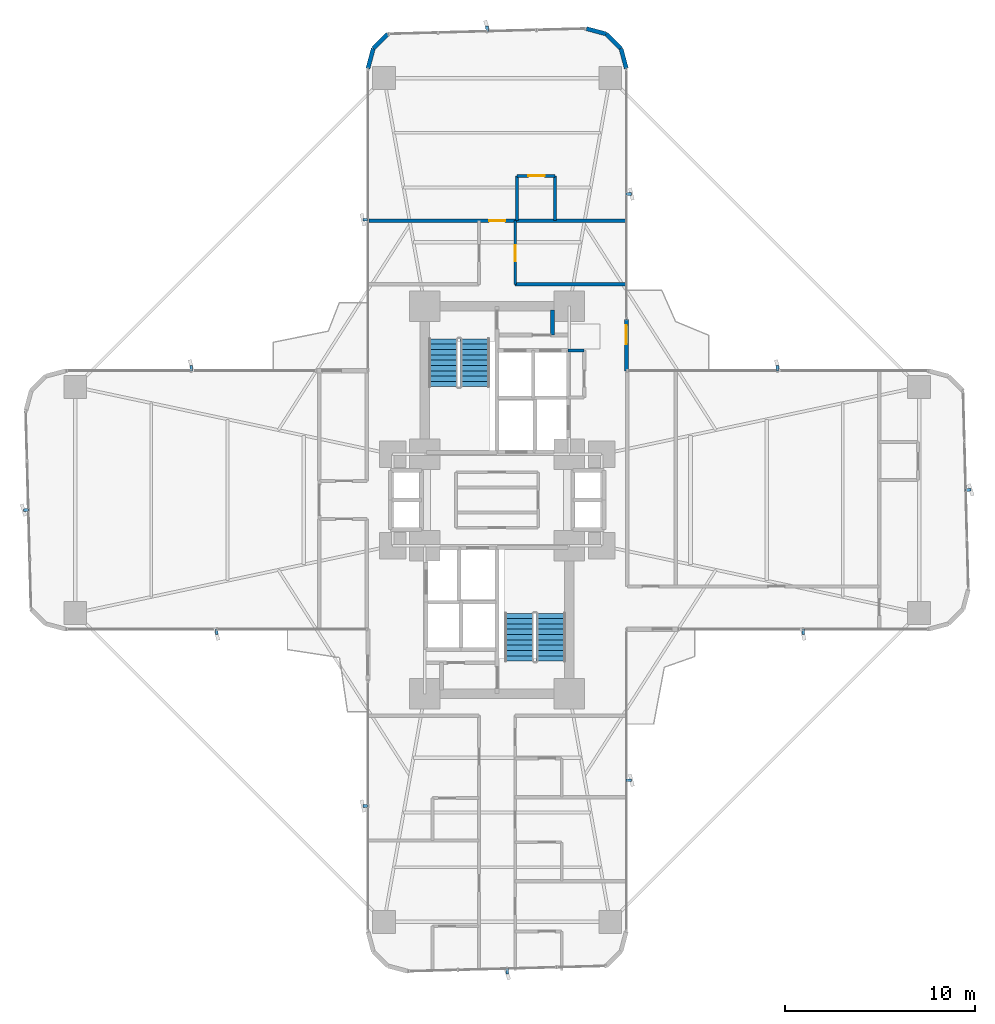
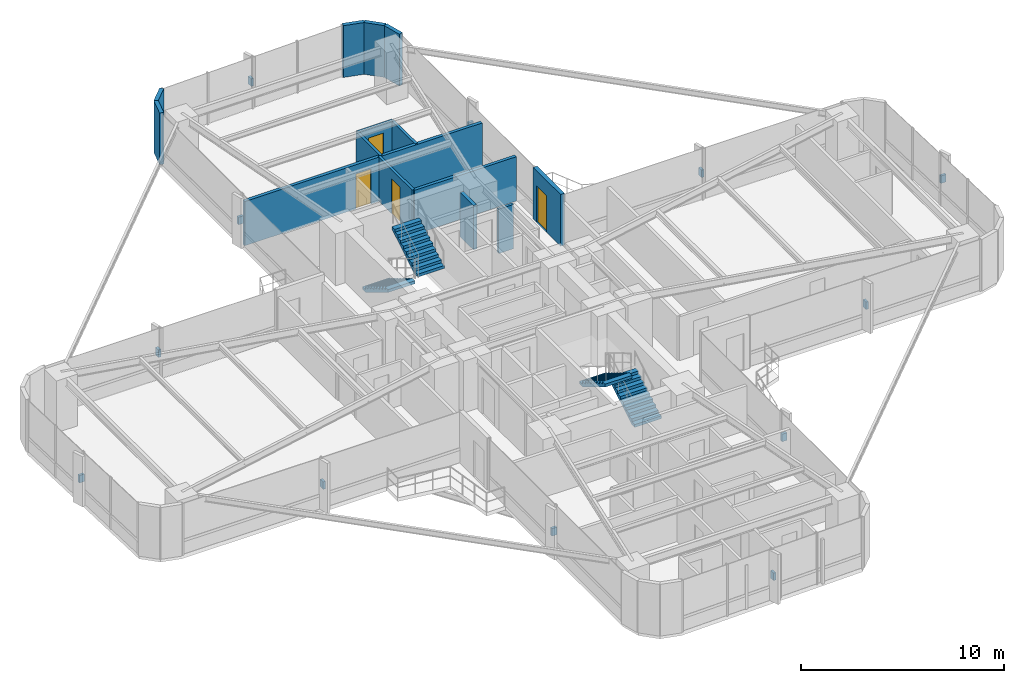
# One storey, part 24 of 25: 14 walls, 12 discrete accessories, 4 doors, 4 stair flights, 4 openings, 2 elements without a shape of their own.
"""IFC4 building model written with IfcOpenShell, lengths in metres."""

from ifc_helpers import new_model, si_unit, direction, frame, frame_2d, origin, origin_2d, place, context, subcontext, project, spatial, polyline, rectangle, outline, extrude, source, transform, mapped, material, layer, layer_set, type_object, element, fill, aggregate, save


model = new_model("IFC4")

# Units and contexts
model_context = context("Model", 3, precision=1e-05, world=origin(), true_north=direction((0.0, 1.0)))
body_context = subcontext(model_context, "Body", "Model", "MODEL_VIEW")
ifc_project = project(units=[si_unit("LENGTHUNIT", "METRE"), si_unit("AREAUNIT", "SQUARE_METRE"), si_unit("VOLUMEUNIT", "CUBIC_METRE"), si_unit("PLANEANGLEUNIT", "RADIAN"), si_unit("MASSUNIT", "GRAM", prefix="KILO")], contexts=[model_context])

# Site, building, storey
site_placement = place(None, origin())
site = spatial("IfcSite", under=ifc_project, at=site_placement, CompositionType="ELEMENT")
building_placement = place(site_placement, origin())
building = spatial("IfcBuilding", under=site, at=building_placement, Name="Sahyath Konkavel Grand Hotel", CompositionType="ELEMENT")
storey_placement = place(building_placement, frame((0.0, 0.0, 39.85009765625)))
storey = spatial("IfcBuildingStorey", under=building, at=storey_placement, Name="L10", CompositionType="ELEMENT", Elevation=39.85009765625)

# Wall, opening, door
ifc_material_1 = material(Name="Warm Buff Sandstone Insulated Concrete C40/50", Category="masonry")
ifc_layer_1 = layer(ifc_material_1, 0.219970703125)
ifc_layer_set_1 = layer_set([ifc_layer_1], Name="Warm Buff Sandstone Insulated Concrete C40/50")
wall_type_1 = type_object("IfcWallType", Name="WLL-BALC-THRESH", PredefinedType="STANDARD", material=ifc_layer_set_1)
wall_1_placement = place(storey_placement, frame((6.800048828125, 6.800048828125, 0.0), z_axis=(0.0, 0.0, 1.0), x_axis=(0.0, 1.0, 0.0)))
wall_1 = element("IfcWall", 1, at=wall_1_placement, inside=storey, type_object=wall_type_1, Name="L10 Winter-Garden Threshold Wall 8", PredefinedType="STANDARD", context=body_context, shape_type="SweptSolid", body=[
    extrude(rectangle(XDim=2.699951171875, YDim=0.219970703125, at=frame_2d((1.35009765625, 0.0))), origin(), (0.0, 0.0, 1.0), 3.10986328125),
])
opening_1_placement = place(wall_1_placement, frame((1.39990234375, 0.0, 0.0)))
opening_1 = element("IfcOpeningElement", 2, at=opening_1_placement, cuts=wall_1, Name="Opening D-TR1", PredefinedType="OPENING", context=body_context, shape_type="SweptSolid", body=[
    extrude(rectangle(XDim=1.0, YDim=2.199951171875, at=frame_2d((0.5, 1.10009765625))), frame((0.0, 0.1201171875, 0.0), z_axis=(0.0, -1.0, 0.0), x_axis=(1.0, 0.0, 0.0)), (0.0, 0.0, 1.0), 0.239990234375),
])
ifc_material_2 = material(Name="Anodised Bronze Aluminium & Low-E Glazing", Category="aluminium")
door_type_1 = type_object("IfcDoorType", Name="DR-TERRACE-1000", OperationType="NOTDEFINED", PredefinedType="DOOR", material=ifc_material_2)
shared_shape_1 = source(origin(), body_context, "Body", "SweptSolid", [
    extrude(rectangle(XDim=1.0, YDim=0.050048828125, at=origin_2d()), origin(), (0.0, 0.0, 1.0), 2.199951171875),
])
door_1_placement = place(opening_1_placement, frame((0.5, 0.0, 0.0)))
door_1 = element("IfcDoor", 3, at=door_1_placement, inside=storey, type_object=door_type_1, Name="L10 Winter-Garden Terrace Door 8", OperationType="SINGLE_SWING_LEFT", OverallHeight=2.199951171875, OverallWidth=1.0, PredefinedType="DOOR", context=body_context, shape_type="MappedRepresentation", body=[
    mapped(shared_shape_1, transform((0.0, 0.0, 0.0), scale=1.0)),
])
fill(opening_1, door_1)

# Walls
for number, where, z_axis, x_axis, name in (
    (4, (6.800048828125, 22.699951171875, 0.0), (0.0, 0.0, 1.0), (-0.25872485917, 0.965951058412, 0.0), "L10 Rounded Corner Sandstone Pier 9"),
    (5, (6.518798828125, 23.75, 0.0), (0.0, 0.0, 1.0), (-0.707106781187, 0.707106781187, 0.0), "L10 Rounded Corner Sandstone Pier 10"),
    (6, (5.75, 24.518798828125, 0.0), (0.0, 0.0, 1.0), (-0.965951058412, 0.25872485917, 0.0), "L10 Rounded Corner Sandstone Pier 11"),
    (7, (-5.75, 24.518798828125, 0.0), (0.0, 0.0, 1.0), (-0.707106781187, -0.707106781187, 0.0), "L10 Rounded Corner Sandstone Pier 13"),
    (8, (-6.518798828125, 23.75, 0.0), (0.0, 0.0, 1.0), (-0.25872485917, -0.965951058412, 0.0), "L10 Rounded Corner Sandstone Pier 14"),
):
    element("IfcWall", number, at=place(storey_placement, frame(where, z_axis=z_axis, x_axis=x_axis)), inside=storey, type_object=wall_type_1, Name=name, PredefinedType="STANDARD", context=body_context, shape_type="SweptSolid", body=[
        extrude(rectangle(XDim=1.087158203125, YDim=0.219970703125, at=frame_2d((0.54345703125, 0.0))), origin(), (0.0, 0.0, 1.0), 3.10986328125),
    ])
ifc_material_3 = material(Name="Concrete C40/50", Category="concrete")
ifc_layer_2 = layer(ifc_material_3, 0.199951171875)
ifc_layer_set_2 = layer_set([ifc_layer_2], Name="Concrete C40/50")
wall_type_2 = type_object("IfcWallType", Name="WLL-CORE-200", PredefinedType="SOLIDWALL", material=ifc_layer_set_2)
wall_2_placement = place(storey_placement, frame((2.919921875, 8.679931640625, 0.0), z_axis=(0.0, 0.0, 1.0), x_axis=(0.0, 1.0, 0.0)))
element("IfcWall", 9, at=wall_2_placement, inside=storey, type_object=wall_type_2, Name="L10 Partition NFF-E2", PredefinedType="SOLIDWALL", context=body_context, shape_type="SweptSolid", body=[
    extrude(rectangle(XDim=1.320068359375, YDim=0.199951171875, at=frame_2d((0.66015625, 0.0))), origin(), (0.0, 0.0, 1.0), 2.659912109375),
])
ifc_material_4 = material(Name="Twin-Stud Acoustic Gypsum Plasterboard Partition")
ifc_layer_3 = layer(ifc_material_4, 0.179931640625)
ifc_layer_set_3 = layer_set([ifc_layer_3], Name="Twin-Stud Acoustic Gypsum Plasterboard Partition")
wall_type_3 = type_object("IfcWallType", Name="WLL-DEMISE-180", PredefinedType="PARTITIONING", material=ifc_layer_set_3)
wall_3_placement = place(storey_placement, frame((6.75, 11.35009765625, 0.0), z_axis=(0.0, 0.0, 1.0), x_axis=(-1.0, 0.0, 0.0)))
element("IfcWall", 10, at=wall_3_placement, inside=storey, type_object=wall_type_3, Name="L10 Partition N-INR", PredefinedType="PARTITIONING", context=body_context, shape_type="SweptSolid", body=[
    extrude(rectangle(XDim=5.800048828125, YDim=0.179931640625, at=frame_2d((2.89990234375, 0.0))), origin(), (0.0, 0.0, 1.0), 2.659912109375),
])

# Wall, opening, door
wall_4_placement = place(storey_placement, frame((6.75, 14.699951171875, 0.0), z_axis=(0.0, 0.0, 1.0), x_axis=(-1.0, 0.0, 0.0)))
wall_4 = element("IfcWall", 11, at=wall_4_placement, inside=storey, type_object=wall_type_3, Name="L10 Partition N-NTIP-END", PredefinedType="PARTITIONING", context=body_context, shape_type="SweptSolid", body=[
    extrude(rectangle(XDim=13.5, YDim=0.179931640625, at=frame_2d((6.75, 0.0))), origin(), (0.0, 0.0, 1.0), 2.659912109375),
])
opening_2_placement = place(wall_4_placement, frame((6.324951171875, 0.0, 0.0)))
opening_2 = element("IfcOpeningElement", 12, at=opening_2_placement, cuts=wall_4, Name="Opening D-F06D", PredefinedType="OPENING", context=body_context, shape_type="SweptSolid", body=[
    extrude(rectangle(XDim=0.85009765625, YDim=2.10009765625, at=frame_2d((0.425048828125, 1.050048828125))), frame((0.0, 0.10009765625, 0.0), z_axis=(0.0, -1.0, 0.0), x_axis=(1.0, 0.0, 0.0)), (0.0, 0.0, 1.0), 0.199951171875),
])
ifc_material_5 = material(Name="Fire-Rated Shaft Access Door")
door_type_2 = type_object("IfcDoorType", Name="DR-FD60-850", OperationType="NOTDEFINED", PredefinedType="DOOR", material=ifc_material_5)
shared_shape_2 = source(origin(), body_context, "Body", "SweptSolid", [
    extrude(rectangle(XDim=0.85009765625, YDim=0.050048828125, at=origin_2d()), origin(), (0.0, 0.0, 1.0), 2.10009765625),
])
door_2_placement = place(opening_2_placement, frame((0.425048828125, 0.0, 0.0)))
door_2 = element("IfcDoor", 13, at=door_2_placement, inside=storey, type_object=door_type_2, Name="L10 Door N-NTIP-ED", OperationType="SINGLE_SWING_LEFT", OverallHeight=2.10009765625, OverallWidth=0.85009765625, PredefinedType="DOOR", context=body_context, shape_type="MappedRepresentation", body=[
    mapped(shared_shape_2, transform((0.0, 0.0, 0.0), scale=1.0)),
])
fill(opening_2, door_2)

# Wall
ifc_material_6 = material(Name="Fire-Rated Gypsum Plasterboard Partition")
ifc_layer_4 = layer(ifc_material_6, 0.14990234375)
ifc_layer_set_4 = layer_set([ifc_layer_4], Name="Fire-Rated Gypsum Plasterboard Partition")
wall_type_4 = type_object("IfcWallType", Name="WLL-PART-150", PredefinedType="PARTITIONING", material=ifc_layer_set_4)
wall_5_placement = place(storey_placement, frame((3.739990234375, 7.860107421875, 0.0), z_axis=(0.0, 0.0, 1.0), x_axis=(1.0, 0.0, 0.0)))
element("IfcWall", 14, at=wall_5_placement, inside=storey, type_object=wall_type_4, Name="L10 Partition NC-FLK-N", PredefinedType="PARTITIONING", context=body_context, shape_type="SweptSolid", body=[
    extrude(rectangle(XDim=0.840087890625, YDim=0.14990234375, at=frame_2d((0.419921875, 0.0))), origin(), (0.0, 0.0, 1.0), 2.659912109375),
])

# Wall, opening, door
wall_6_placement = place(storey_placement, frame((0.949951171875, 11.35009765625, 0.0), z_axis=(0.0, 0.0, 1.0), x_axis=(0.0, 1.0, 0.0)))
wall_6 = element("IfcWall", 15, at=wall_6_placement, inside=storey, type_object=wall_type_4, Name="L10 Partition N-CR", PredefinedType="PARTITIONING", context=body_context, shape_type="SweptSolid", body=[
    extrude(rectangle(XDim=3.349853515625, YDim=0.14990234375, at=frame_2d((1.6748046875, 0.0))), origin(), (0.0, 0.0, 1.0), 2.659912109375),
])
opening_3_placement = place(wall_6_placement, frame((1.199951171875, 0.0, 0.0)))
opening_3 = element("IfcOpeningElement", 16, at=opening_3_placement, cuts=wall_6, Name="Opening D-F06D", PredefinedType="OPENING", context=body_context, shape_type="SweptSolid", body=[
    extrude(rectangle(XDim=0.85009765625, YDim=2.10009765625, at=frame_2d((0.425048828125, 1.050048828125))), frame((0.0, 0.0849609375, 0.0), z_axis=(0.0, -1.0, 0.0), x_axis=(1.0, 0.0, 0.0)), (0.0, 0.0, 1.0), 0.169921875),
])
door_3_placement = place(opening_3_placement, frame((0.425048828125, 0.0, 0.0)))
door_3 = element("IfcDoor", 17, at=door_3_placement, inside=storey, type_object=door_type_2, Name="L10 Door N-NS3R-D", OperationType="SINGLE_SWING_LEFT", OverallHeight=2.10009765625, OverallWidth=0.85009765625, PredefinedType="DOOR", context=body_context, shape_type="MappedRepresentation", body=[
    mapped(shared_shape_2, transform((0.0, 0.0, 0.0), scale=1.0)),
])
fill(opening_3, door_3)

# Walls
for number, where, z_axis, x_axis, name in (
    (18, (1.050048828125, 14.699951171875, 0.0), (0.0, 0.0, 1.0), (0.0, 1.0, 0.0), "L10 Partition N-NTIP-BN"),
    (19, (3.050048828125, 14.699951171875, 0.0), (0.0, 0.0, 1.0), (0.0, 1.0, 0.0), "L10 Partition N-NTIP-BS"),
):
    element("IfcWall", number, at=place(storey_placement, frame(where, z_axis=z_axis, x_axis=x_axis)), inside=storey, type_object=wall_type_4, Name=name, PredefinedType="PARTITIONING", context=body_context, shape_type="SweptSolid", body=[
        extrude(rectangle(XDim=2.35009765625, YDim=0.14990234375, at=frame_2d((1.175048828125, 0.0))), origin(), (0.0, 0.0, 1.0), 2.659912109375),
    ])

# Wall, opening, door
wall_7_placement = place(storey_placement, frame((3.050048828125, 17.050048828125, 0.0), z_axis=(0.0, 0.0, 1.0), x_axis=(-1.0, 0.0, 0.0)))
wall_7 = element("IfcWall", 20, at=wall_7_placement, inside=storey, type_object=wall_type_4, Name="L10 Partition N-NTIP-BE", PredefinedType="PARTITIONING", context=body_context, shape_type="SweptSolid", body=[
    extrude(rectangle(XDim=2.0, YDim=0.14990234375, at=frame_2d((1.0, 0.0))), origin(), (0.0, 0.0, 1.0), 2.659912109375),
])
opening_4_placement = place(wall_7_placement, frame((0.550048828125, 0.0, 0.0)))
opening_4 = element("IfcOpeningElement", 21, at=opening_4_placement, cuts=wall_7, Name="Opening D-BT85", PredefinedType="OPENING", context=body_context, shape_type="SweptSolid", body=[
    extrude(rectangle(XDim=0.85009765625, YDim=2.10009765625, at=frame_2d((0.425048828125, 1.050048828125))), frame((0.0, 0.0849609375, 0.0), z_axis=(0.0, -1.0, 0.0), x_axis=(1.0, 0.0, 0.0)), (0.0, 0.0, 1.0), 0.169921875),
])
ifc_material_7 = material(Name="Moisture-Resistant Teak Bathroom Door")
door_type_3 = type_object("IfcDoorType", Name="DR-BATH-850", OperationType="NOTDEFINED", PredefinedType="DOOR", material=ifc_material_7)
door_4_placement = place(opening_4_placement, frame((0.425048828125, 0.0, 0.0)))
door_4 = element("IfcDoor", 22, at=door_4_placement, inside=storey, type_object=door_type_3, Name="L10 Door N-NTIP-BD", OperationType="SINGLE_SWING_RIGHT", OverallHeight=2.10009765625, OverallWidth=0.85009765625, PredefinedType="DOOR", context=body_context, shape_type="MappedRepresentation", body=[
    mapped(shared_shape_2, transform((0.0, 0.0, 0.0), scale=1.0)),
])
fill(opening_4, door_4)

# Stair, stair flights
stair_type = type_object("IfcStairType", Name="STR-ST16-335", PredefinedType="HALF_TURN_STAIR", material=ifc_material_3)
stair_1_placement = place(storey_placement, origin())
stair_1 = element("IfcStair", 23, at=stair_1_placement, inside=storey, type_object=stair_type, Name="L10 North Core Smokeproof Exit Stair ST-1", PredefinedType="HALF_TURN_STAIR")
stair_flight_type = type_object("IfcStairFlightType", Name="STF-ST16-335", PredefinedType="STRAIGHT", material=ifc_material_3)
stair_flight_1_placement = place(storey_placement, frame((-2.840087890625, 8.47998046875, 0.0), z_axis=(0.0, 0.0, 1.0), x_axis=(0.0, -1.0, 0.0)))
stair_flight_1 = element("IfcStairFlight", 24, at=stair_flight_1_placement, type_object=stair_flight_type, Name="ST-1 flight 1", NumberOfRisers=10, NumberOfTreads=9, PredefinedType="STRAIGHT", RiserHeight=0.1675, TreadLength=0.28, context=body_context, shape_type="SweptSolid", body=[
    extrude(outline(polyline([(0.0, 0.0), (0.0, 0.16748046875), (0.280029296875, 0.16748046875), (0.280029296875, 0.3349609375), (0.56005859375, 0.3349609375), (0.56005859375, 0.50244140625), (0.840087890625, 0.50244140625), (0.840087890625, 0.669921875), (1.1201171875, 0.669921875), (1.1201171875, 0.83740234375), (1.39990234375, 0.83740234375), (1.39990234375, 1.0048828125), (1.679931640625, 1.0048828125), (1.679931640625, 1.172607421875), (1.9599609375, 1.172607421875), (1.9599609375, 1.340087890625), (2.239990234375, 1.340087890625), (2.239990234375, 1.507568359375), (2.52001953125, 1.507568359375), (2.52001953125, 1.675048828125), (2.52001953125, 1.332763671875), (0.2919921875, 0.0), (0.0, 0.0)])), frame((0.0, 0.760009765625, 0.0), z_axis=(0.0, -1.0, 0.0), x_axis=(1.0, 0.0, 0.0)), (0.0, 0.0, 1.0), 1.52001953125),
])
stair_flight_2_placement = place(storey_placement, frame((-1.159912109375, 5.9599609375, 1.6748046875), z_axis=(0.0, 0.0, 1.0), x_axis=(0.0, 1.0, 0.0)))
stair_flight_2 = element("IfcStairFlight", 25, at=stair_flight_2_placement, type_object=stair_flight_type, Name="ST-1 flight 2", NumberOfRisers=10, NumberOfTreads=9, PredefinedType="STRAIGHT", RiserHeight=0.1675, TreadLength=0.28, context=body_context, shape_type="SweptSolid", body=[
    extrude(outline(polyline([(0.0, 0.0), (0.0, 0.16748046875), (0.280029296875, 0.16748046875), (0.280029296875, 0.3349609375), (0.56005859375, 0.3349609375), (0.56005859375, 0.50244140625), (0.840087890625, 0.50244140625), (0.840087890625, 0.669921875), (1.1201171875, 0.669921875), (1.1201171875, 0.83740234375), (1.39990234375, 0.83740234375), (1.39990234375, 1.0048828125), (1.679931640625, 1.0048828125), (1.679931640625, 1.172607421875), (1.9599609375, 1.172607421875), (1.9599609375, 1.340087890625), (2.239990234375, 1.340087890625), (2.239990234375, 1.507568359375), (2.52001953125, 1.507568359375), (2.52001953125, 1.675048828125), (2.52001953125, 1.332763671875), (0.2919921875, 0.0), (0.0, 0.0)])), frame((0.0, 0.760009765625, 0.0), z_axis=(0.0, -1.0, 0.0), x_axis=(1.0, 0.0, 0.0)), (0.0, 0.0, 1.0), 1.52001953125),
])
aggregate(stair_1, [stair_flight_1, stair_flight_2])

stair_2_placement = place(storey_placement, origin())
stair_2 = element("IfcStair", 26, at=stair_2_placement, inside=storey, type_object=stair_type, Name="L10 South Core Smokeproof Exit Stair ST-2", PredefinedType="HALF_TURN_STAIR")
stair_flight_3_placement = place(storey_placement, frame((2.840087890625, -8.47998046875, 0.0), z_axis=(0.0, 0.0, 1.0), x_axis=(0.0, 1.0, 0.0)))
stair_flight_3 = element("IfcStairFlight", 27, at=stair_flight_3_placement, type_object=stair_flight_type, Name="ST-2 flight 1", NumberOfRisers=10, NumberOfTreads=9, PredefinedType="STRAIGHT", RiserHeight=0.1675, TreadLength=0.28, context=body_context, shape_type="SweptSolid", body=[
    extrude(outline(polyline([(0.0, 0.0), (0.0, 0.16748046875), (0.280029296875, 0.16748046875), (0.280029296875, 0.3349609375), (0.56005859375, 0.3349609375), (0.56005859375, 0.50244140625), (0.840087890625, 0.50244140625), (0.840087890625, 0.669921875), (1.1201171875, 0.669921875), (1.1201171875, 0.83740234375), (1.39990234375, 0.83740234375), (1.39990234375, 1.0048828125), (1.679931640625, 1.0048828125), (1.679931640625, 1.172607421875), (1.9599609375, 1.172607421875), (1.9599609375, 1.340087890625), (2.239990234375, 1.340087890625), (2.239990234375, 1.507568359375), (2.52001953125, 1.507568359375), (2.52001953125, 1.675048828125), (2.52001953125, 1.332763671875), (0.2919921875, 0.0), (0.0, 0.0)])), frame((0.0, 0.760009765625, 0.0), z_axis=(0.0, -1.0, 0.0), x_axis=(1.0, 0.0, 0.0)), (0.0, 0.0, 1.0), 1.52001953125),
])
stair_flight_4_placement = place(storey_placement, frame((1.159912109375, -5.9599609375, 1.6748046875), z_axis=(0.0, 0.0, 1.0), x_axis=(0.0, -1.0, 0.0)))
stair_flight_4 = element("IfcStairFlight", 28, at=stair_flight_4_placement, type_object=stair_flight_type, Name="ST-2 flight 2", NumberOfRisers=10, NumberOfTreads=9, PredefinedType="STRAIGHT", RiserHeight=0.1675, TreadLength=0.28, context=body_context, shape_type="SweptSolid", body=[
    extrude(outline(polyline([(0.0, 0.0), (0.0, 0.16748046875), (0.280029296875, 0.16748046875), (0.280029296875, 0.3349609375), (0.56005859375, 0.3349609375), (0.56005859375, 0.50244140625), (0.840087890625, 0.50244140625), (0.840087890625, 0.669921875), (1.1201171875, 0.669921875), (1.1201171875, 0.83740234375), (1.39990234375, 0.83740234375), (1.39990234375, 1.0048828125), (1.679931640625, 1.0048828125), (1.679931640625, 1.172607421875), (1.9599609375, 1.172607421875), (1.9599609375, 1.340087890625), (2.239990234375, 1.340087890625), (2.239990234375, 1.507568359375), (2.52001953125, 1.507568359375), (2.52001953125, 1.675048828125), (2.52001953125, 1.332763671875), (0.2919921875, 0.0), (0.0, 0.0)])), frame((0.0, 0.760009765625, 0.0), z_axis=(0.0, -1.0, 0.0), x_axis=(1.0, 0.0, 0.0)), (0.0, 0.0, 1.0), 1.52001953125),
])
aggregate(stair_2, [stair_flight_3, stair_flight_4])

# Discrete accessories
ifc_material_8 = material(Name="Steel E350", Category="steel")
discrete_accessory_type = type_object("IfcDiscreteAccessoryType", Name="ACC-FIN-BRACKET", PredefinedType="BRACKET", material=ifc_material_8)
shared_shape_3 = source(origin(), body_context, "Body", "SweptSolid", [
    extrude(rectangle(XDim=0.280029296875, YDim=0.139892578125, at=origin_2d()), origin(), (0.0, 0.0, 1.0), 0.449951171875),
])
for number, where, z_axis, x_axis, name in (
    (29, (16.10009765625, -6.929931640625, 1.330078125), (0.0, 0.0, 1.0), (0.0, -1.0, 0.0), "L10 Fin Support Bracket F0-1"),
    (30, (24.789306640625, 0.528564453125, 1.330078125), (0.0, 0.0, 1.0), (0.999637867691, 0.026909728301, 0.0), "L10 Fin Support Bracket F4-2"),
    (31, (14.75, 6.929931640625, 1.330078125), (0.0, 0.0, 1.0), (0.0, 1.0, 0.0), "L10 Fin Support Bracket F7-1"),
    (32, (6.929931640625, 16.10009765625, 1.330078125), (0.0, 0.0, 1.0), (1.0, 0.0, 0.0), "L10 Fin Support Bracket F8-1"),
    (33, (-0.528564453125, 24.789306640625, 1.330078125), (0.0, 0.0, 1.0), (-0.026909728301, 0.999637867691, 0.0), "L10 Fin Support Bracket F12-2"),
    (34, (-6.929931640625, 14.75, 1.330078125), (0.0, 0.0, 1.0), (-1.0, 0.0, 0.0), "L10 Fin Support Bracket F15-1"),
    (35, (-16.10009765625, 6.929931640625, 1.330078125), (0.0, 0.0, 1.0), (0.0, 1.0, 0.0), "L10 Fin Support Bracket F16-1"),
    (36, (-24.789306640625, -0.528564453125, 1.330078125), (0.0, 0.0, 1.0), (-0.999637867691, -0.026909728301, 0.0), "L10 Fin Support Bracket F20-2"),
    (37, (-14.75, -6.929931640625, 1.330078125), (0.0, 0.0, 1.0), (0.0, -1.0, 0.0), "L10 Fin Support Bracket F23-1"),
    (38, (-6.929931640625, -16.10009765625, 1.330078125), (0.0, 0.0, 1.0), (-1.0, 0.0, 0.0), "L10 Fin Support Bracket F24-1"),
    (39, (0.528564453125, -24.789306640625, 1.330078125), (0.0, 0.0, 1.0), (0.026909728301, -0.999637867691, 0.0), "L10 Fin Support Bracket F28-2"),
    (40, (6.929931640625, -14.75, 1.330078125), (0.0, 0.0, 1.0), (1.0, 0.0, 0.0), "L10 Fin Support Bracket F31-1"),
):
    element("IfcDiscreteAccessory", number, at=place(storey_placement, frame(where, z_axis=z_axis, x_axis=x_axis)), inside=storey, type_object=discrete_accessory_type, Name=name, PredefinedType="BRACKET", context=body_context, shape_type="MappedRepresentation", body=[
        mapped(shared_shape_3, transform((0.0, 0.0, 0.0), scale=1.0)),
    ])

save(model, "model.ifc")
